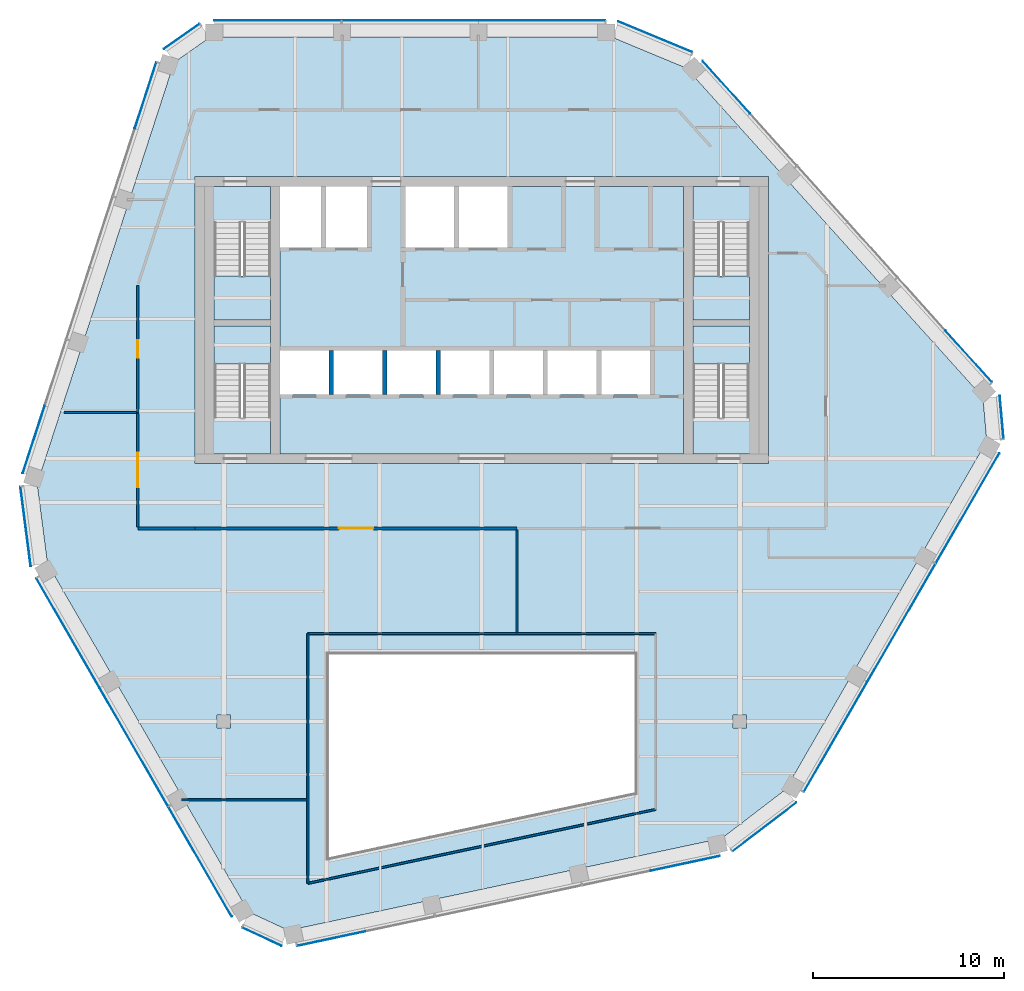
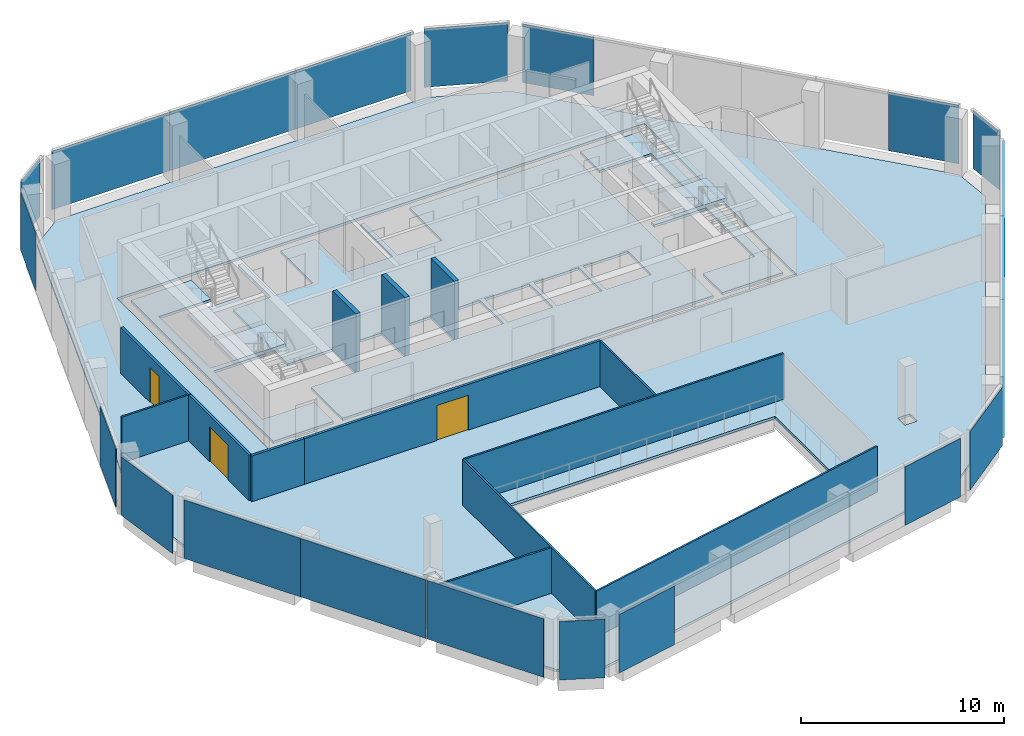
# One storey, part 7 of 15: 21 plates, 13 walls, 8 slabs, 3 doors, 3 openings, 16 elements without a shape of their own.
"""IFC4 building model written with IfcOpenShell, lengths in metres."""

from ifc_helpers import new_model, si_unit, direction, frame, frame_2d, origin, origin_2d, place, context, subcontext, project, spatial, polyline, rectangle, outline, extrude, material, layer, layer_set, type_object, element, fill, aggregate, save


model = new_model("IFC4")

# Units and contexts
model_context = context("Model", 3, precision=1e-05, world=origin(), true_north=direction((0.0, 1.0)))
body_context = subcontext(model_context, "Body", "Model", "MODEL_VIEW")
ifc_project = project(units=[si_unit("LENGTHUNIT", "METRE"), si_unit("AREAUNIT", "SQUARE_METRE"), si_unit("VOLUMEUNIT", "CUBIC_METRE"), si_unit("PLANEANGLEUNIT", "RADIAN"), si_unit("MASSUNIT", "GRAM", prefix="KILO")], contexts=[model_context])

# Site, building, storey
site_placement = place(None, origin())
site = spatial("IfcSite", under=ifc_project, at=site_placement, CompositionType="ELEMENT")
building_placement = place(site_placement, origin())
building = spatial("IfcBuilding", under=site, at=building_placement, Name="Isthmus Gate Tower", CompositionType="ELEMENT")
storey_placement = place(building_placement, frame((0.0, 0.0, 286.5)))
storey = spatial("IfcBuildingStorey", under=building, at=storey_placement, Name="L73", CompositionType="ELEMENT", Elevation=286.5)

# Slabs
ifc_material_1 = material(Name="Concrete f'c 40 MPa", Category="concrete")
ifc_layer_1 = layer(ifc_material_1, 0.14990234375)
ifc_layer_set_1 = layer_set([ifc_layer_1], Name="COMPOSITE FLOOR SLAB 150")
slab_type_1 = type_object("IfcSlabType", Name="COMPOSITE FLOOR SLAB 150", PredefinedType="FLOOR", material=ifc_layer_set_1)
slab_1_placement = place(storey_placement, frame((0.0, 0.0, -0.14990234375)))
element("IfcSlab", 1, at=slab_1_placement, inside=storey, type_object=slab_type_1, Name="str-slab-L73-1", PredefinedType="FLOOR", context=body_context, shape_type="SweptSolid", body=[
    extrude(outline(polyline([(10.7080078125, 20.68310546875), (26.218017578125, 3.45751953125), (26.423583984375, 1.1669921875), (15.902587890625, -17.055908203125), (12.55810546875, -19.614990234375), (-10.11474609375, -24.434326171875), (-12.201171875, -23.467041015625), (-22.72216796875, -5.243896484375), (-23.26611328125, -1.068115234375), (-16.103515625, 20.976806640625), (-14.22265625, 22.300048828125), (6.819580078125, 22.300048828125), (10.7080078125, 20.68310546875)]), holes=[polyline([(-8.0, -10.0), (-8.0, -20.611083984375), (8.0, -17.210205078125), (8.0, -10.0), (-8.0, -10.0)]), polyline([(-13.85009765625, -13.14990234375), (-13.85009765625, -13.85009765625), (-13.14990234375, -13.85009765625), (-13.14990234375, -13.14990234375), (-13.85009765625, -13.14990234375)]), polyline([(13.14990234375, -13.14990234375), (13.14990234375, -13.85009765625), (13.85009765625, -13.85009765625), (13.85009765625, -13.14990234375), (13.14990234375, -13.14990234375)]), polyline([(-15.0, 0.0), (15.0, 0.0), (15.0, 15.0), (-15.0, 15.0), (-15.0, 0.0)])]), origin(), (0.0, 0.0, 1.0), 0.14990234375),
])
ifc_material_2 = material(Name="Concrete f'c 40 MPa", Category="concrete")
ifc_layer_2 = layer(ifc_material_2, 0.14990234375)
ifc_layer_set_2 = layer_set([ifc_layer_2], Name="CORE FLOOR SLAB 150")
slab_type_2 = type_object("IfcSlabType", Name="CORE FLOOR SLAB 150", PredefinedType="FLOOR", material=ifc_layer_set_2)
slab_2_placement = place(storey_placement, frame((0.0, 0.0, -0.14990234375)))
element("IfcSlab", 2, at=slab_2_placement, inside=storey, type_object=slab_type_2, Name="L73 core floor", PredefinedType="FLOOR", context=body_context, shape_type="SweptSolid", body=[
    extrude(outline(polyline([(-11.050048828125, 0.5), (-11.050048828125, 2.402099609375), (-14.0, 2.402099609375), (-14.0, 7.199951171875), (-11.050048828125, 7.199951171875), (-11.050048828125, 7.5), (-14.0, 7.5), (-14.0, 12.597900390625), (-11.050048828125, 12.597900390625), (-11.050048828125, 14.5), (-14.5, 14.5), (-14.5, 0.5), (-11.050048828125, 0.5)])), origin(), (0.0, 0.0, 1.0), 0.14990234375),
])
slab_3_placement = place(storey_placement, frame((0.0, 0.0, -0.14990234375)))
element("IfcSlab", 3, at=slab_3_placement, inside=storey, type_object=slab_type_2, Name="L73 core floor", PredefinedType="FLOOR", context=body_context, shape_type="SweptSolid", body=[
    extrude(outline(polyline([(10.550048828125, 14.5), (1.35009765625, 14.5), (1.35009765625, 11.300048828125), (-1.199951171875, 11.300048828125), (-1.199951171875, 14.5), (-1.449951171875, 14.5), (-1.449951171875, 11.300048828125), (-4.0, 11.300048828125), (-4.0, 14.5), (-6.0, 14.5), (-6.0, 11.300048828125), (-8.14990234375, 11.300048828125), (-8.14990234375, 14.5), (-8.39990234375, 14.5), (-8.39990234375, 11.300048828125), (-10.550048828125, 11.300048828125), (-10.550048828125, 5.89990234375), (-8.0, 5.89990234375), (-8.0, 3.60009765625), (-10.550048828125, 3.60009765625), (-10.550048828125, 0.5), (10.550048828125, 0.5), (10.550048828125, 14.5)]), holes=[polyline([(-5.199951171875, 5.89990234375), (-5.199951171875, 3.60009765625), (-7.75, 3.60009765625), (-7.75, 5.89990234375), (-5.199951171875, 5.89990234375)]), polyline([(-2.39990234375, 5.89990234375), (-2.39990234375, 3.60009765625), (-4.949951171875, 3.60009765625), (-4.949951171875, 5.89990234375), (-2.39990234375, 5.89990234375)]), polyline([(0.39990234375, 5.89990234375), (0.39990234375, 3.60009765625), (-2.14990234375, 3.60009765625), (-2.14990234375, 5.89990234375), (0.39990234375, 5.89990234375)]), polyline([(3.199951171875, 5.89990234375), (3.199951171875, 3.60009765625), (0.64990234375, 3.60009765625), (0.64990234375, 5.89990234375), (3.199951171875, 5.89990234375)]), polyline([(6.0, 5.89990234375), (6.0, 3.60009765625), (3.449951171875, 3.60009765625), (3.449951171875, 5.89990234375), (6.0, 5.89990234375)]), polyline([(8.800048828125, 5.89990234375), (8.800048828125, 3.60009765625), (6.25, 3.60009765625), (6.25, 5.89990234375), (8.800048828125, 5.89990234375)])]), origin(), (0.0, 0.0, 1.0), 0.14990234375),
])
slab_4_placement = place(storey_placement, frame((0.0, 0.0, -0.14990234375)))
element("IfcSlab", 4, at=slab_4_placement, inside=storey, type_object=slab_type_2, Name="L73 core floor", PredefinedType="FLOOR", context=body_context, shape_type="SweptSolid", body=[
    extrude(outline(polyline([(11.050048828125, 14.5), (11.050048828125, 12.597900390625), (14.0, 12.597900390625), (14.0, 7.5), (11.050048828125, 7.5), (11.050048828125, 7.199951171875), (14.0, 7.199951171875), (14.0, 2.402099609375), (11.050048828125, 2.402099609375), (11.050048828125, 0.5), (14.5, 0.5), (14.5, 14.5), (11.050048828125, 14.5)])), origin(), (0.0, 0.0, 1.0), 0.14990234375),
])

# Curtain wall, plates
ifc_material_3 = material(Name="Aluminium, pale champagne anodised", Category="aluminium")
ifc_layer_3 = layer(ifc_material_3, 0.199951171875)
ifc_layer_set_3 = layer_set([ifc_layer_3], Name="CW-1 UNITISED CURTAIN WALL 200 DEEP")
curtain_wall_type = type_object("IfcCurtainWallType", Name="CW-1 UNITISED CURTAIN WALL 200 DEEP", PredefinedType="NOTDEFINED", material=ifc_layer_set_3)
curtain_wall_1_placement = place(storey_placement, origin())
curtain_wall_1 = element("IfcCurtainWall", 5, at=curtain_wall_1_placement, inside=storey, type_object=curtain_wall_type, Name="CW-1 N L73", PredefinedType="NOTDEFINED")
ifc_material_4 = material(Name="Laminated low-iron glass, pale blue tint", Category="glass")
ifc_layer_4 = layer(ifc_material_4, 0.031982421875)
ifc_layer_set_4 = layer_set([ifc_layer_4], Name="CW-1 CLEAR GLASS LITE 32")
plate_type = type_object("IfcPlateType", Name="CW-1 CLEAR GLASS LITE 32", PredefinedType="CURTAIN_PANEL", material=ifc_layer_set_4)
plate_1_placement = place(storey_placement, frame((3.13720703125, 23.18408203125, 0.0), z_axis=(0.0, 0.0, 1.0), x_axis=(-1.0, 0.0, 0.0)))
plate_1 = element("IfcPlate", 6, at=plate_1_placement, type_object=plate_type, Name="CW-1 glass lite", PredefinedType="CURTAIN_PANEL", context=body_context, shape_type="SweptSolid", body=[
    extrude(rectangle(XDim=6.62451171875, YDim=0.031982421875, at=origin_2d()), origin(), (0.0, 0.0, 1.0), 3.52001953125),
])
plate_2_placement = place(storey_placement, frame((-3.742431640625, 23.18408203125, 0.0), z_axis=(0.0, 0.0, 1.0), x_axis=(-1.0, 0.0, 0.0)))
plate_2 = element("IfcPlate", 7, at=plate_2_placement, type_object=plate_type, Name="CW-1 glass lite", PredefinedType="CURTAIN_PANEL", context=body_context, shape_type="SweptSolid", body=[
    extrude(rectangle(XDim=7.134521484375, YDim=0.031982421875, at=origin_2d()), origin(), (0.0, 0.0, 1.0), 3.52001953125),
])
plate_3_placement = place(storey_placement, frame((-10.681884765625, 23.18408203125, 0.0), z_axis=(0.0, 0.0, 1.0), x_axis=(-1.0, 0.0, 0.0)))
plate_3 = element("IfcPlate", 8, at=plate_3_placement, type_object=plate_type, Name="CW-1 glass lite", PredefinedType="CURTAIN_PANEL", context=body_context, shape_type="SweptSolid", body=[
    extrude(rectangle(XDim=6.62451171875, YDim=0.031982421875, at=origin_2d()), origin(), (0.0, 0.0, 1.0), 3.52001953125),
])
aggregate(curtain_wall_1, [plate_1, plate_2, plate_3])

# Curtain wall, plate
curtain_wall_2_placement = place(storey_placement, origin())
curtain_wall_2 = element("IfcCurtainWall", 9, at=curtain_wall_2_placement, inside=storey, type_object=curtain_wall_type, Name="CW-1 N-NW L73", PredefinedType="NOTDEFINED")
plate_4_placement = place(storey_placement, frame((-15.6953125, 22.3447265625, 0.0), z_axis=(0.0, 0.0, 1.0), x_axis=(-0.81785959165, -0.57541783805, 0.0)))
plate_4 = element("IfcPlate", 10, at=plate_4_placement, type_object=plate_type, Name="CW-1 glass lite", PredefinedType="CURTAIN_PANEL", context=body_context, shape_type="SweptSolid", body=[
    extrude(rectangle(XDim=2.258544921875, YDim=0.031982421875, at=origin_2d()), origin(), (0.0, 0.0, 1.0), 3.52001953125),
])
aggregate(curtain_wall_2, [plate_4])

# Curtain wall, plates
curtain_wall_3_placement = place(storey_placement, origin())
curtain_wall_3 = element("IfcCurtainWall", 11, at=curtain_wall_3_placement, inside=storey, type_object=curtain_wall_type, Name="CW-1 NW L73", PredefinedType="NOTDEFINED")
plate_5_placement = place(storey_placement, frame((-17.592529296875, 19.254150390625, 0.0), z_axis=(0.0, 0.0, 1.0), x_axis=(-0.309016994375, -0.951056516295, 0.0)))
plate_5 = element("IfcPlate", 12, at=plate_5_placement, type_object=plate_type, Name="CW-1 glass lite", PredefinedType="CURTAIN_PANEL", context=body_context, shape_type="SweptSolid", body=[
    extrude(rectangle(XDim=3.643310546875, YDim=0.031982421875, at=origin_2d()), origin(), (0.0, 0.0, 1.0), 3.52001953125),
])
plate_6_placement = place(storey_placement, frame((-23.4443359375, 1.244140625, 0.0), z_axis=(0.0, 0.0, 1.0), x_axis=(-0.309016994375, -0.951056516295, 0.0)))
plate_6 = element("IfcPlate", 13, at=plate_6_placement, type_object=plate_type, Name="CW-1 glass lite", PredefinedType="CURTAIN_PANEL", context=body_context, shape_type="SweptSolid", body=[
    extrude(rectangle(XDim=3.703369140625, YDim=0.031982421875, at=origin_2d()), origin(), (0.0, 0.0, 1.0), 3.52001953125),
])
aggregate(curtain_wall_3, [plate_5, plate_6])

# Curtain wall, plate
curtain_wall_4_placement = place(storey_placement, origin())
curtain_wall_4 = element("IfcCurtainWall", 14, at=curtain_wall_4_placement, inside=storey, type_object=curtain_wall_type, Name="CW-1 NW-SW L73", PredefinedType="NOTDEFINED")
plate_7_placement = place(storey_placement, frame((-23.866943359375, -3.2998046875, 0.0), z_axis=(0.0, 0.0, 1.0), x_axis=(0.129164534, -0.991623175988, 0.0)))
plate_7 = element("IfcPlate", 15, at=plate_7_placement, type_object=plate_type, Name="CW-1 glass lite", PredefinedType="CURTAIN_PANEL", context=body_context, shape_type="SweptSolid", body=[
    extrude(rectangle(XDim=4.181396484375, YDim=0.031982421875, at=origin_2d()), origin(), (0.0, 0.0, 1.0), 3.52001953125),
])
aggregate(curtain_wall_4, [plate_7])

# Curtain wall, plates
curtain_wall_5_placement = place(storey_placement, origin())
curtain_wall_5 = element("IfcCurtainWall", 16, at=curtain_wall_5_placement, inside=storey, type_object=curtain_wall_type, Name="CW-1 SW L73", PredefinedType="NOTDEFINED")
plate_8_placement = place(storey_placement, frame((-21.646484375, -8.875244140625, 0.0), z_axis=(0.0, 0.0, 1.0), x_axis=(0.5, -0.866025403784, 0.0)))
plate_8 = element("IfcPlate", 17, at=plate_8_placement, type_object=plate_type, Name="CW-1 glass lite", PredefinedType="CURTAIN_PANEL", context=body_context, shape_type="SweptSolid", body=[
    extrude(rectangle(XDim=6.62451171875, YDim=0.031982421875, at=origin_2d()), origin(), (0.0, 0.0, 1.0), 3.52001953125),
])
plate_9_placement = place(storey_placement, frame((-18.206787109375, -14.8330078125, 0.0), z_axis=(0.0, 0.0, 1.0), x_axis=(0.5, -0.866025403784, 0.0)))
plate_9 = element("IfcPlate", 18, at=plate_9_placement, type_object=plate_type, Name="CW-1 glass lite", PredefinedType="CURTAIN_PANEL", context=body_context, shape_type="SweptSolid", body=[
    extrude(rectangle(XDim=7.134521484375, YDim=0.031982421875, at=origin_2d()), origin(), (0.0, 0.0, 1.0), 3.52001953125),
])
plate_10_placement = place(storey_placement, frame((-14.737060546875, -20.8427734375, 0.0), z_axis=(0.0, 0.0, 1.0), x_axis=(0.5, -0.866025403784, 0.0)))
plate_10 = element("IfcPlate", 19, at=plate_10_placement, type_object=plate_type, Name="CW-1 glass lite", PredefinedType="CURTAIN_PANEL", context=body_context, shape_type="SweptSolid", body=[
    extrude(rectangle(XDim=6.62451171875, YDim=0.031982421875, at=origin_2d()), origin(), (0.0, 0.0, 1.0), 3.52001953125),
])
aggregate(curtain_wall_5, [plate_8, plate_9, plate_10])

# Curtain wall, plate
curtain_wall_6_placement = place(storey_placement, origin())
curtain_wall_6 = element("IfcCurtainWall", 20, at=curtain_wall_6_placement, inside=storey, type_object=curtain_wall_type, Name="CW-1 SW-S L73", PredefinedType="NOTDEFINED")
plate_11_placement = place(storey_placement, frame((-11.50341796875, -24.764892578125, 0.0), z_axis=(0.0, 0.0, 1.0), x_axis=(0.907256261367, -0.420578264073, 0.0)))
plate_11 = element("IfcPlate", 21, at=plate_11_placement, type_object=plate_type, Name="CW-1 glass lite", PredefinedType="CURTAIN_PANEL", context=body_context, shape_type="SweptSolid", body=[
    extrude(rectangle(XDim=2.258544921875, YDim=0.031982421875, at=origin_2d()), origin(), (0.0, 0.0, 1.0), 3.52001953125),
])
aggregate(curtain_wall_6, [plate_11])

# Curtain wall, plates
curtain_wall_7_placement = place(storey_placement, origin())
curtain_wall_7 = element("IfcCurtainWall", 22, at=curtain_wall_7_placement, inside=storey, type_object=curtain_wall_type, Name="CW-1 S L73", PredefinedType="NOTDEFINED")
plate_12_placement = place(storey_placement, frame((-7.87841796875, -24.86279296875, 0.0), z_axis=(0.0, 0.0, 1.0), x_axis=(0.978147600734, 0.207911690818, 0.0)))
plate_12 = element("IfcPlate", 23, at=plate_12_placement, type_object=plate_type, Name="CW-1 glass lite", PredefinedType="CURTAIN_PANEL", context=body_context, shape_type="SweptSolid", body=[
    extrude(rectangle(XDim=3.643310546875, YDim=0.031982421875, at=origin_2d()), origin(), (0.0, 0.0, 1.0), 3.52001953125),
])
plate_13_placement = place(storey_placement, frame((10.644775390625, -20.925537109375, 0.0), z_axis=(0.0, 0.0, 1.0), x_axis=(0.978147600734, 0.207911690818, 0.0)))
plate_13 = element("IfcPlate", 24, at=plate_13_placement, type_object=plate_type, Name="CW-1 glass lite", PredefinedType="CURTAIN_PANEL", context=body_context, shape_type="SweptSolid", body=[
    extrude(rectangle(XDim=3.703369140625, YDim=0.031982421875, at=origin_2d()), origin(), (0.0, 0.0, 1.0), 3.52001953125),
])
aggregate(curtain_wall_7, [plate_12, plate_13])

# Curtain wall, plate
curtain_wall_8_placement = place(storey_placement, origin())
curtain_wall_8 = element("IfcCurtainWall", 25, at=curtain_wall_8_placement, inside=storey, type_object=curtain_wall_type, Name="CW-1 S-SE L73", PredefinedType="NOTDEFINED")
plate_14_placement = place(storey_placement, frame((14.791259765625, -19.01953125, 0.0), z_axis=(0.0, 0.0, 1.0), x_axis=(0.794188594387, 0.607671355706, 0.0)))
plate_14 = element("IfcPlate", 26, at=plate_14_placement, type_object=plate_type, Name="CW-1 glass lite", PredefinedType="CURTAIN_PANEL", context=body_context, shape_type="SweptSolid", body=[
    extrude(rectangle(XDim=4.181396484375, YDim=0.031982421875, at=origin_2d()), origin(), (0.0, 0.0, 1.0), 3.52001953125),
])
aggregate(curtain_wall_8, [plate_14])

# Curtain wall, plates
curtain_wall_9_placement = place(storey_placement, origin())
curtain_wall_9 = element("IfcCurtainWall", 27, at=curtain_wall_9_placement, inside=storey, type_object=curtain_wall_type, Name="CW-1 SE L73", PredefinedType="NOTDEFINED")
plate_15_placement = place(storey_placement, frame((18.50927734375, -14.308837890625, 0.0), z_axis=(0.0, 0.0, 1.0), x_axis=(0.5, 0.866025403784, 0.0)))
plate_15 = element("IfcPlate", 28, at=plate_15_placement, type_object=plate_type, Name="CW-1 glass lite", PredefinedType="CURTAIN_PANEL", context=body_context, shape_type="SweptSolid", body=[
    extrude(rectangle(XDim=6.62451171875, YDim=0.031982421875, at=origin_2d()), origin(), (0.0, 0.0, 1.0), 3.52001953125),
])
plate_16_placement = place(storey_placement, frame((21.94921875, -8.35107421875, 0.0), z_axis=(0.0, 0.0, 1.0), x_axis=(0.5, 0.866025403784, 0.0)))
plate_16 = element("IfcPlate", 29, at=plate_16_placement, type_object=plate_type, Name="CW-1 glass lite", PredefinedType="CURTAIN_PANEL", context=body_context, shape_type="SweptSolid", body=[
    extrude(rectangle(XDim=7.134521484375, YDim=0.031982421875, at=origin_2d()), origin(), (0.0, 0.0, 1.0), 3.52001953125),
])
plate_17_placement = place(storey_placement, frame((25.4189453125, -2.34130859375, 0.0), z_axis=(0.0, 0.0, 1.0), x_axis=(0.5, 0.866025403784, 0.0)))
plate_17 = element("IfcPlate", 30, at=plate_17_placement, type_object=plate_type, Name="CW-1 glass lite", PredefinedType="CURTAIN_PANEL", context=body_context, shape_type="SweptSolid", body=[
    extrude(rectangle(XDim=6.62451171875, YDim=0.031982421875, at=origin_2d()), origin(), (0.0, 0.0, 1.0), 3.52001953125),
])
aggregate(curtain_wall_9, [plate_15, plate_16, plate_17])

# Curtain wall, plate
curtain_wall_10_placement = place(storey_placement, origin())
curtain_wall_10 = element("IfcCurtainWall", 31, at=curtain_wall_10_placement, inside=storey, type_object=curtain_wall_type, Name="CW-1 SE-NE L73", PredefinedType="NOTDEFINED")
plate_18_placement = place(storey_placement, frame((27.19873046875, 2.420166015625, 0.0), z_axis=(0.0, 0.0, 1.0), x_axis=(-0.089396669717, 0.995996102123, 0.0)))
plate_18 = element("IfcPlate", 32, at=plate_18_placement, type_object=plate_type, Name="CW-1 glass lite", PredefinedType="CURTAIN_PANEL", context=body_context, shape_type="SweptSolid", body=[
    extrude(rectangle(XDim=2.258544921875, YDim=0.031982421875, at=origin_2d()), origin(), (0.0, 0.0, 1.0), 3.52001953125),
])
aggregate(curtain_wall_10, [plate_18])

# Curtain wall, plates
curtain_wall_11_placement = place(storey_placement, origin())
curtain_wall_11 = element("IfcCurtainWall", 33, at=curtain_wall_11_placement, inside=storey, type_object=curtain_wall_type, Name="CW-1 NE L73", PredefinedType="NOTDEFINED")
plate_19_placement = place(storey_placement, frame((25.470947265625, 5.6083984375, 0.0), z_axis=(0.0, 0.0, 1.0), x_axis=(-0.669130606359, 0.743144825477, 0.0)))
plate_19 = element("IfcPlate", 34, at=plate_19_placement, type_object=plate_type, Name="CW-1 glass lite", PredefinedType="CURTAIN_PANEL", context=body_context, shape_type="SweptSolid", body=[
    extrude(rectangle(XDim=3.643310546875, YDim=0.031982421875, at=origin_2d()), origin(), (0.0, 0.0, 1.0), 3.52001953125),
])
plate_20_placement = place(storey_placement, frame((12.799560546875, 19.681396484375, 0.0), z_axis=(0.0, 0.0, 1.0), x_axis=(-0.669130606359, 0.743144825477, 0.0)))
plate_20 = element("IfcPlate", 35, at=plate_20_placement, type_object=plate_type, Name="CW-1 glass lite", PredefinedType="CURTAIN_PANEL", context=body_context, shape_type="SweptSolid", body=[
    extrude(rectangle(XDim=3.703369140625, YDim=0.031982421875, at=origin_2d()), origin(), (0.0, 0.0, 1.0), 3.52001953125),
])
aggregate(curtain_wall_11, [plate_19, plate_20])

# Curtain wall, plate
curtain_wall_12_placement = place(storey_placement, origin())
curtain_wall_12 = element("IfcCurtainWall", 36, at=curtain_wall_12_placement, inside=storey, type_object=curtain_wall_type, Name="CW-1 NE-N L73", PredefinedType="NOTDEFINED")
plate_21_placement = place(storey_placement, frame((9.07568359375, 22.3193359375, 0.0), z_axis=(0.0, 0.0, 1.0), x_axis=(-0.923353128387, 0.383951820282, 0.0)))
plate_21 = element("IfcPlate", 37, at=plate_21_placement, type_object=plate_type, Name="CW-1 glass lite", PredefinedType="CURTAIN_PANEL", context=body_context, shape_type="SweptSolid", body=[
    extrude(rectangle(XDim=4.181396484375, YDim=0.031982421875, at=origin_2d()), origin(), (0.0, 0.0, 1.0), 3.52001953125),
])
aggregate(curtain_wall_12, [plate_21])

# Stair, slab
ifc_material_5 = material(Name="Concrete f'c 40 MPa", Category="concrete")
stair_type = type_object("IfcStairType", Name="CORE STAIR 22 RISERS", PredefinedType="HALF_TURN_STAIR", material=ifc_material_5)
stair_1_placement = place(storey_placement, origin())
stair_1 = element("IfcStair", 38, at=stair_1_placement, inside=storey, type_object=stair_type, Name="L73 Exit Stair 1", PredefinedType="HALF_TURN_STAIR")
ifc_material_6 = material(Name="Concrete f'c 40 MPa", Category="concrete")
ifc_layer_5 = layer(ifc_material_6, 0.199951171875)
ifc_layer_set_5 = layer_set([ifc_layer_5])
slab_type_3 = type_object("IfcSlabType", Name="STAIR LANDING RC 200", PredefinedType="LANDING", material=ifc_layer_set_5)
slab_5_placement = place(storey_placement, frame((0.0, 0.0, 1.625)))
slab_5 = element("IfcSlab", 39, at=slab_5_placement, type_object=slab_type_3, Name="ST1 landing 1", PredefinedType="LANDING", context=body_context, shape_type="SweptSolid", body=[
    extrude(outline(polyline([(-14.0, 9.800048828125), (-14.0, 7.5), (-11.050048828125, 7.5), (-11.050048828125, 9.800048828125), (-14.0, 9.800048828125)])), origin(), (0.0, 0.0, 1.0), 0.199951171875),
])
aggregate(stair_1, [slab_5])

stair_2_placement = place(storey_placement, origin())
stair_2 = element("IfcStair", 40, at=stair_2_placement, inside=storey, type_object=stair_type, Name="L73 Exit Stair 2", PredefinedType="HALF_TURN_STAIR")
slab_6_placement = place(storey_placement, frame((0.0, 0.0, 1.625)))
slab_6 = element("IfcSlab", 41, at=slab_6_placement, type_object=slab_type_3, Name="ST2 landing 1", PredefinedType="LANDING", context=body_context, shape_type="SweptSolid", body=[
    extrude(outline(polyline([(11.050048828125, 9.800048828125), (11.050048828125, 7.5), (14.0, 7.5), (14.0, 9.800048828125), (11.050048828125, 9.800048828125)])), origin(), (0.0, 0.0, 1.0), 0.199951171875),
])
aggregate(stair_2, [slab_6])

stair_3_placement = place(storey_placement, origin())
stair_3 = element("IfcStair", 42, at=stair_3_placement, inside=storey, type_object=stair_type, Name="L73 Exit Stair 7", PredefinedType="HALF_TURN_STAIR")
slab_7_placement = place(storey_placement, frame((0.0, 0.0, 1.625)))
slab_7 = element("IfcSlab", 43, at=slab_7_placement, type_object=slab_type_3, Name="ST7 landing 1", PredefinedType="LANDING", context=body_context, shape_type="SweptSolid", body=[
    extrude(outline(polyline([(-11.050048828125, 5.199951171875), (-11.050048828125, 7.199951171875), (-14.0, 7.199951171875), (-14.0, 5.199951171875), (-11.050048828125, 5.199951171875)])), origin(), (0.0, 0.0, 1.0), 0.199951171875),
])
aggregate(stair_3, [slab_7])

stair_4_placement = place(storey_placement, origin())
stair_4 = element("IfcStair", 44, at=stair_4_placement, inside=storey, type_object=stair_type, Name="L73 Exit Stair 8", PredefinedType="HALF_TURN_STAIR")
slab_8_placement = place(storey_placement, frame((0.0, 0.0, 1.625)))
slab_8 = element("IfcSlab", 45, at=slab_8_placement, type_object=slab_type_3, Name="ST8 landing 1", PredefinedType="LANDING", context=body_context, shape_type="SweptSolid", body=[
    extrude(outline(polyline([(14.0, 5.199951171875), (14.0, 7.199951171875), (11.050048828125, 7.199951171875), (11.050048828125, 5.199951171875), (14.0, 5.199951171875)])), origin(), (0.0, 0.0, 1.0), 0.199951171875),
])
aggregate(stair_4, [slab_8])

# Walls
ifc_material_7 = material(Name="Fire-rated laminated glass in steel frame", Category="steel")
ifc_layer_6 = layer(ifc_material_7, 0.10009765625)
ifc_layer_set_6 = layer_set([ifc_layer_6], Name="ATRIUM SCREEN GLAZED WALL 100 120 MIN")
wall_type_1 = type_object("IfcWallType", Name="ATRIUM SCREEN GLAZED WALL 100 120 MIN", PredefinedType="PARTITIONING", material=ifc_layer_set_6)
wall_1_placement = place(storey_placement, frame((-9.10009765625, -8.89990234375, 0.0), z_axis=(0.0, 0.0, 1.0), x_axis=(1.0, 0.0, 0.0)))
element("IfcWall", 46, at=wall_1_placement, inside=storey, type_object=wall_type_1, Name="L73 atrium screen", PredefinedType="PARTITIONING", context=body_context, shape_type="SweptSolid", body=[
    extrude(rectangle(XDim=18.2001953125, YDim=0.10009765625, at=frame_2d((9.10009765625, 0.0))), origin(), (0.0, 0.0, 1.0), 2.750732421875),
])
wall_2_placement = place(storey_placement, frame((9.10009765625, -18.100830078125, 0.0), z_axis=(0.0, 0.0, 1.0), x_axis=(-0.978146710971, -0.207915876778, 0.0)))
element("IfcWall", 47, at=wall_2_placement, inside=storey, type_object=wall_type_1, Name="L73 atrium screen", PredefinedType="PARTITIONING", context=body_context, shape_type="SweptSolid", body=[
    extrude(rectangle(XDim=18.60693359375, YDim=0.10009765625, at=frame_2d((9.303466796875, 0.0))), origin(), (0.0, 0.0, 1.0), 2.750732421875),
])
wall_3_placement = place(storey_placement, frame((-9.10009765625, -21.969482421875, 0.0), z_axis=(0.0, 0.0, 1.0), x_axis=(0.0, 1.0, 0.0)))
element("IfcWall", 48, at=wall_3_placement, inside=storey, type_object=wall_type_1, Name="L73 atrium screen", PredefinedType="PARTITIONING", context=body_context, shape_type="SweptSolid", body=[
    extrude(rectangle(XDim=13.069580078125, YDim=0.10009765625, at=frame_2d((6.53466796875, 0.0))), origin(), (0.0, 0.0, 1.0), 2.750732421875),
])

# Wall, opening, door
ifc_material_8 = material(Name="Gypsum board on steel studs, fire-rated", Category="steel")
ifc_layer_7 = layer(ifc_material_8, 0.14990234375)
ifc_layer_set_7 = layer_set([ifc_layer_7], Name="CORRIDOR WALL 150 60 MIN")
wall_type_2 = type_object("IfcWallType", Name="CORRIDOR WALL 150 60 MIN", PredefinedType="PARTITIONING", material=ifc_layer_set_7)
wall_4_placement = place(storey_placement, frame((1.843994140625, -3.39990234375, 0.0), z_axis=(0.0, 0.0, 1.0), x_axis=(-1.0, 0.0, 0.0)))
wall_4 = element("IfcWall", 49, at=wall_4_placement, inside=storey, type_object=wall_type_2, Name="L73 Corridor Wall 150 60 Min", PredefinedType="PARTITIONING", context=body_context, shape_type="SweptSolid", body=[
    extrude(rectangle(XDim=16.843994140625, YDim=0.14990234375, at=frame_2d((8.421875, 0.0))), origin(), (0.0, 0.0, 1.0), 2.750732421875),
])
opening_1_placement = place(wall_4_placement, frame((7.52197265625, 0.0, 0.0)))
opening_1 = element("IfcOpeningElement", 50, at=opening_1_placement, cuts=wall_4, Name="Opening DT-T6C-07", PredefinedType="OPENING", context=body_context, shape_type="SweptSolid", body=[
    extrude(rectangle(XDim=1.800048828125, YDim=2.10009765625, at=frame_2d((0.89990234375, 1.050048828125))), frame((0.0, 0.0849609375, 0.0), z_axis=(0.0, -1.0, 0.0), x_axis=(1.0, 0.0, 0.0)), (0.0, 0.0, 1.0), 0.169921875),
])
ifc_material_9 = material(Name="Solid core timber door leaf, fire-rated", Category="wood")
door_type_1 = type_object("IfcDoorType", Name="FIRE DOOR ROOM 1800 X 2100 60 MIN", OperationType="DOUBLE_DOOR_DOUBLE_SWING", PredefinedType="DOOR", material=ifc_material_9)
door_1_placement = place(opening_1_placement, origin())
door_1 = element("IfcDoor", 51, at=door_1_placement, inside=storey, type_object=door_type_1, Name="L73 room door", OperationType="DOUBLE_DOOR_DOUBLE_SWING", OverallHeight=2.10009765625, OverallWidth=1.800048828125, PredefinedType="DOOR", context=body_context, shape_type="SweptSolid", body=[
    extrude(rectangle(XDim=1.800048828125, YDim=2.10009765625, at=frame_2d((0.89990234375, 1.050048828125))), frame((0.0, 0.02490234375, 0.0), z_axis=(0.0, -1.0, 0.0), x_axis=(1.0, 0.0, 0.0)), (0.0, 0.0, 1.0), 0.050048828125),
])
fill(opening_1, door_1)

# Wall
wall_5_placement = place(storey_placement, frame((-15.0, -3.39990234375, 0.0), z_axis=(0.0, 0.0, 1.0), x_axis=(-1.0, 0.0, 0.0)))
element("IfcWall", 52, at=wall_5_placement, inside=storey, type_object=wall_type_2, Name="L73 Corridor Wall 150 60 Min", PredefinedType="PARTITIONING", context=body_context, shape_type="SweptSolid", body=[
    extrude(rectangle(XDim=3.0, YDim=0.14990234375, at=frame_2d((1.5, 0.0))), origin(), (0.0, 0.0, 1.0), 2.750732421875),
])

# Wall, opening, door
wall_6_placement = place(storey_placement, frame((-18.0, 2.669921875, 0.0), z_axis=(0.0, 0.0, 1.0), x_axis=(0.0, 1.0, 0.0)))
wall_6 = element("IfcWall", 53, at=wall_6_placement, inside=storey, type_object=wall_type_2, Name="L73 Corridor Wall 150 60 Min", PredefinedType="PARTITIONING", context=body_context, shape_type="SweptSolid", body=[
    extrude(rectangle(XDim=6.64501953125, YDim=0.14990234375, at=frame_2d((3.322509765625, 0.0))), origin(), (0.0, 0.0, 1.0), 2.750732421875),
])
opening_2_placement = place(wall_6_placement, frame((2.87255859375, 0.0, 0.0)))
opening_2 = element("IfcOpeningElement", 54, at=opening_2_placement, cuts=wall_6, Name="Opening DT-T6C-05", PredefinedType="OPENING", context=body_context, shape_type="SweptSolid", body=[
    extrude(rectangle(XDim=0.89990234375, YDim=2.10009765625, at=frame_2d((0.449951171875, 1.050048828125))), frame((0.0, 0.0849609375, 0.0), z_axis=(0.0, -1.0, 0.0), x_axis=(1.0, 0.0, 0.0)), (0.0, 0.0, 1.0), 0.169921875),
])
ifc_material_10 = material(Name="Solid core timber door leaf, fire-rated", Category="wood")
door_type_2 = type_object("IfcDoorType", Name="FIRE DOOR ROOM 900 X 2100 60 MIN", OperationType="SINGLE_SWING_LEFT", PredefinedType="DOOR", material=ifc_material_10)
door_2_placement = place(opening_2_placement, origin())
door_2 = element("IfcDoor", 55, at=door_2_placement, inside=storey, type_object=door_type_2, Name="L73 room door", OperationType="SINGLE_SWING_RIGHT", OverallHeight=2.10009765625, OverallWidth=0.89990234375, PredefinedType="DOOR", context=body_context, shape_type="SweptSolid", body=[
    extrude(rectangle(XDim=0.89990234375, YDim=2.10009765625, at=frame_2d((0.449951171875, 1.050048828125))), frame((0.0, 0.02490234375, 0.0), z_axis=(0.0, -1.0, 0.0), x_axis=(1.0, 0.0, 0.0)), (0.0, 0.0, 1.0), 0.050048828125),
])
fill(opening_2, door_2)

wall_7_placement = place(storey_placement, frame((-18.0, -3.324951171875, 0.0), z_axis=(0.0, 0.0, 1.0), x_axis=(0.0, 1.0, 0.0)))
wall_7 = element("IfcWall", 56, at=wall_7_placement, inside=storey, type_object=wall_type_2, Name="L73 Corridor Wall 150 60 Min", PredefinedType="PARTITIONING", context=body_context, shape_type="SweptSolid", body=[
    extrude(rectangle(XDim=5.945068359375, YDim=0.14990234375, at=frame_2d((2.97265625, 0.0))), origin(), (0.0, 0.0, 1.0), 2.750732421875),
])
opening_3_placement = place(wall_7_placement, frame((2.072509765625, 0.0, 0.0)))
opening_3 = element("IfcOpeningElement", 57, at=opening_3_placement, cuts=wall_7, Name="Opening DT-T6C-08", PredefinedType="OPENING", context=body_context, shape_type="SweptSolid", body=[
    extrude(rectangle(XDim=1.800048828125, YDim=2.10009765625, at=frame_2d((0.89990234375, 1.050048828125))), frame((0.0, 0.0849609375, 0.0), z_axis=(0.0, -1.0, 0.0), x_axis=(1.0, 0.0, 0.0)), (0.0, 0.0, 1.0), 0.169921875),
])
door_3_placement = place(opening_3_placement, origin())
door_3 = element("IfcDoor", 58, at=door_3_placement, inside=storey, type_object=door_type_1, Name="L73 room door", OperationType="DOUBLE_DOOR_DOUBLE_SWING", OverallHeight=2.10009765625, OverallWidth=1.800048828125, PredefinedType="DOOR", context=body_context, shape_type="SweptSolid", body=[
    extrude(rectangle(XDim=1.800048828125, YDim=2.10009765625, at=frame_2d((0.89990234375, 1.050048828125))), frame((0.0, 0.02490234375, 0.0), z_axis=(0.0, -1.0, 0.0), x_axis=(1.0, 0.0, 0.0)), (0.0, 0.0, 1.0), 0.050048828125),
])
fill(opening_3, door_3)

# Walls
ifc_material_11 = material(Name="Gypsum board on steel studs, fire-rated", Category="steel")
ifc_layer_8 = layer(ifc_material_11, 0.10009765625)
ifc_layer_set_8 = layer_set([ifc_layer_8], Name="ROOM PARTITION 100 30 MIN")
wall_type_3 = type_object("IfcWallType", Name="ROOM PARTITION 100 30 MIN", PredefinedType="PARTITIONING", material=ifc_layer_set_8)
wall_8_placement = place(storey_placement, frame((-21.85693359375, 2.669921875, 0.0), z_axis=(0.0, 0.0, 1.0), x_axis=(1.0, 0.0, 0.0)))
element("IfcWall", 59, at=wall_8_placement, inside=storey, type_object=wall_type_3, Name="L73 Room Partition 100 30 Min", PredefinedType="PARTITIONING", context=body_context, shape_type="SweptSolid", body=[
    extrude(rectangle(XDim=3.781982421875, YDim=0.10009765625, at=frame_2d((1.89111328125, 0.0))), origin(), (0.0, 0.0, 1.0), 2.750732421875),
])
wall_9_placement = place(storey_placement, frame((-15.700927734375, -17.60498046875, 0.0), z_axis=(0.0, 0.0, 1.0), x_axis=(1.0, 0.0, 0.0)))
element("IfcWall", 60, at=wall_9_placement, inside=storey, type_object=wall_type_3, Name="L73 Room Partition 100 30 Min", PredefinedType="PARTITIONING", context=body_context, shape_type="SweptSolid", body=[
    extrude(rectangle(XDim=6.551025390625, YDim=0.10009765625, at=frame_2d((3.275390625, 0.0))), origin(), (0.0, 0.0, 1.0), 2.750732421875),
])
wall_10_placement = place(storey_placement, frame((1.843994140625, -8.85009765625, 0.0), z_axis=(0.0, 0.0, 1.0), x_axis=(0.0, 1.0, 0.0)))
element("IfcWall", 61, at=wall_10_placement, inside=storey, type_object=wall_type_3, Name="L73 Room Partition 100 30 Min", PredefinedType="PARTITIONING", context=body_context, shape_type="SweptSolid", body=[
    extrude(rectangle(XDim=5.375, YDim=0.10009765625, at=frame_2d((2.6875, 0.0))), origin(), (0.0, 0.0, 1.0), 2.750732421875),
])
ifc_material_12 = material(Name="Fire-rated blockwork masonry, 15 MPa", Category="masonry")
ifc_layer_9 = layer(ifc_material_12, 0.25)
ifc_layer_set_9 = layer_set([ifc_layer_9], Name="SHAFT WALL 250 120 MIN")
wall_type_4 = type_object("IfcWallType", Name="SHAFT WALL 250 120 MIN", PredefinedType="PARTITIONING", material=ifc_layer_set_9)
for number, where, z_axis, x_axis, name in (
    (62, (-7.875, 3.60009765625, 0.0), (0.0, 0.0, 1.0), (0.0, 1.0, 0.0), "L73 SHAFT WALL 250 120 MIN"),
    (63, (-5.074951171875, 3.60009765625, 0.0), (0.0, 0.0, 1.0), (0.0, 1.0, 0.0), "L73 SHAFT WALL 250 120 MIN"),
    (64, (-2.27490234375, 3.60009765625, 0.0), (0.0, 0.0, 1.0), (0.0, 1.0, 0.0), "L73 SHAFT WALL 250 120 MIN"),
):
    element("IfcWall", number, at=place(storey_placement, frame(where, z_axis=z_axis, x_axis=x_axis)), inside=storey, type_object=wall_type_4, Name=name, PredefinedType="PARTITIONING", context=body_context, shape_type="SweptSolid", body=[
        extrude(rectangle(XDim=2.2998046875, YDim=0.25, at=frame_2d((1.14990234375, 0.0))), origin(), (0.0, 0.0, 1.0), 3.5),
    ])

save(model, "model.ifc")
